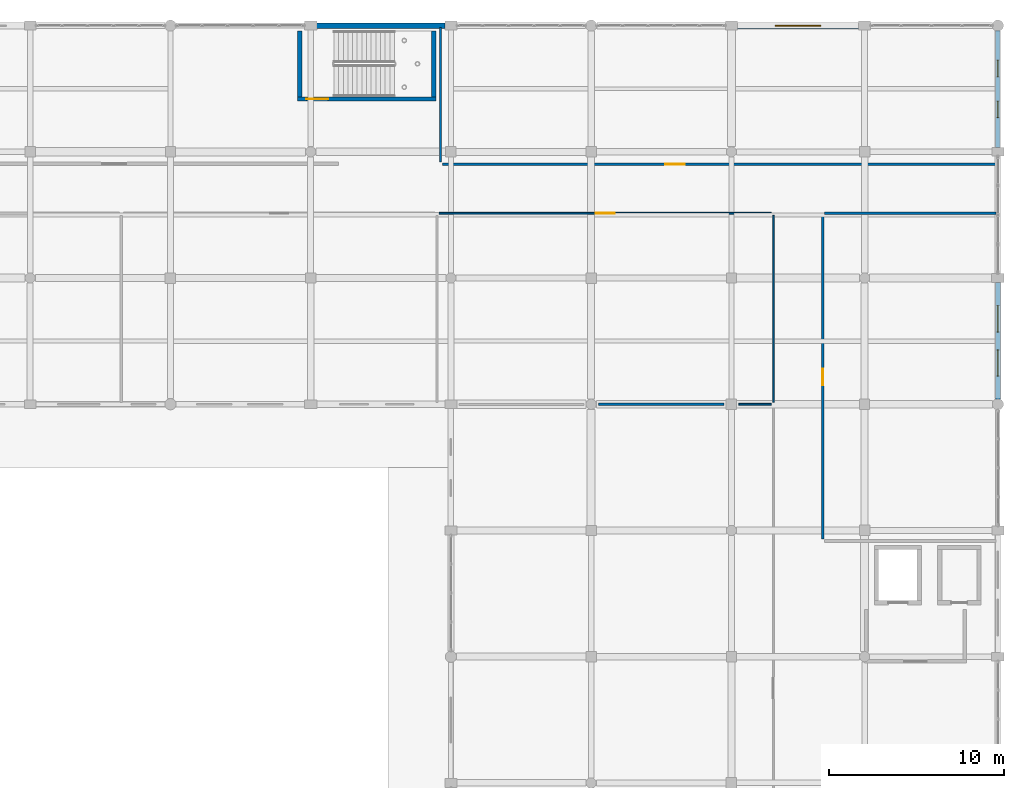
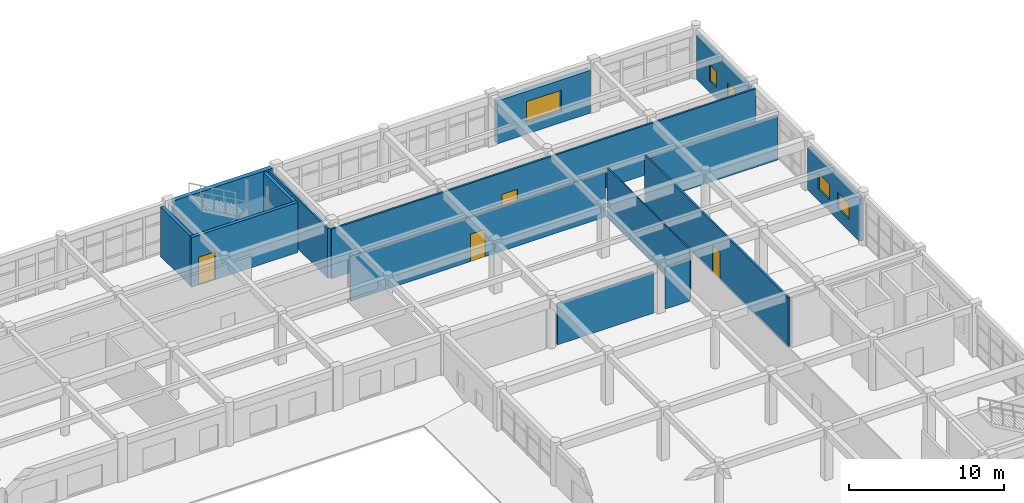
# One storey, part 112 of 121: 15 walls, 5 windows, 4 doors, 9 openings.
"""IFC4 building model written with IfcOpenShell, lengths in metres."""

from ifc_helpers import new_model, si_unit, direction, frame, frame_2d, origin, place, context, subcontext, project, spatial, rectangle, extrude, material, layer, layer_set, type_object, element, fill, save


model = new_model("IFC4")

# Units and contexts
model_context = context("Model", 3, precision=1e-05, world=origin(), true_north=direction((0.0, 1.0)))
body_context = subcontext(model_context, "Body", "Model", "MODEL_VIEW")
ifc_project = project(units=[si_unit("LENGTHUNIT", "METRE"), si_unit("AREAUNIT", "SQUARE_METRE"), si_unit("VOLUMEUNIT", "CUBIC_METRE"), si_unit("PLANEANGLEUNIT", "RADIAN"), si_unit("MASSUNIT", "GRAM", prefix="KILO")], contexts=[model_context])

# Site, building, storey
site_placement = place(None, origin())
site = spatial("IfcSite", under=ifc_project, at=site_placement, CompositionType="ELEMENT")
building_placement = place(site_placement, origin())
building = spatial("IfcBuilding", under=site, at=building_placement, Name="Kharva Crest Polytechnic", CompositionType="ELEMENT")
storey_placement = place(building_placement, frame((0.0, 0.0, 13.199951171875)))
storey = spatial("IfcBuildingStorey", under=building, at=storey_placement, Name="L03", CompositionType="ELEMENT", Elevation=13.199951171875)

# Wall, openings, windows
ifc_material_1 = material(Name="Kiln brick masonry", Category="masonry")
ifc_layer_1 = layer(ifc_material_1, 0.260009765625, Name="Kiln brick masonry")
ifc_layer_set_1 = layer_set([ifc_layer_1], Name="Kiln brick masonry")
wall_type_1 = type_object("IfcWallType", Name="WL-EXT-BRK-260", PredefinedType="SOLIDWALL", material=ifc_layer_set_1)
wall_1_placement = place(storey_placement, frame((184.0, 115.044921875, 0.0), z_axis=(0.0, 0.0, 1.0), x_axis=(0.0, 1.0, 0.0)))
wall_1 = element("IfcWall", 1, at=wall_1_placement, inside=storey, type_object=wall_type_1, Name="L03 Exterior Brick Wall 345", PredefinedType="SOLIDWALL", context=body_context, shape_type="SweptSolid", body=[
    extrude(rectangle(XDim=6.686279296875, YDim=0.260009765625, at=frame_2d((3.34326171875, 0.0))), origin(), (0.0, 0.0, 1.0), 3.43994140625),
])
opening_1_placement = place(wall_1_placement, frame((1.701904296875, 0.0, 0.89990234375)))
opening_1 = element("IfcOpeningElement", 2, at=opening_1_placement, cuts=wall_1, Name="Opening W22", PredefinedType="OPENING", context=body_context, shape_type="SweptSolid", body=[
    extrude(rectangle(XDim=0.949951171875, YDim=1.25, at=frame_2d((0.47509765625, 0.625))), frame((0.0, 0.139892578125, 0.0), z_axis=(0.0, -1.0, 0.0), x_axis=(1.0, 0.0, 0.0)), (0.0, 0.0, 1.0), 0.280029296875),
])
opening_2_placement = place(wall_1_placement, frame((4.033935546875, 0.0, 0.89990234375)))
opening_2 = element("IfcOpeningElement", 3, at=opening_2_placement, cuts=wall_1, Name="Opening W22", PredefinedType="OPENING", context=body_context, shape_type="SweptSolid", body=[
    extrude(rectangle(XDim=0.949951171875, YDim=1.25, at=frame_2d((0.47509765625, 0.625))), frame((0.0, 0.139892578125, 0.0), z_axis=(0.0, -1.0, 0.0), x_axis=(1.0, 0.0, 0.0)), (0.0, 0.0, 1.0), 0.280029296875),
])
ifc_material_2 = material(Name="Anodised aluminium", Category="aluminium")
window_type_1 = type_object("IfcWindowType", Name="WIN-ALU-950X1250", PartitioningType="SINGLE_PANEL", PredefinedType="WINDOW", material=ifc_material_2)
window_1_placement = place(opening_1_placement, origin())
window_1 = element("IfcWindow", 4, at=window_1_placement, inside=storey, type_object=window_type_1, Name="L03 Exterior Window 474", OverallHeight=1.25, OverallWidth=0.949951171875, PartitioningType="SINGLE_PANEL", PredefinedType="WINDOW", context=body_context, shape_type="SweptSolid", body=[
    extrude(rectangle(XDim=0.949951171875, YDim=1.25, at=frame_2d((0.47509765625, 0.625))), frame((0.0, 0.030029296875, 0.0), z_axis=(0.0, -1.0, 0.0), x_axis=(1.0, 0.0, 0.0)), (0.0, 0.0, 1.0), 0.06005859375),
])
fill(opening_1, window_1)
window_2_placement = place(opening_2_placement, origin())
window_2 = element("IfcWindow", 5, at=window_2_placement, inside=storey, type_object=window_type_1, Name="L03 Exterior Window 475", OverallHeight=1.25, OverallWidth=0.949951171875, PartitioningType="SINGLE_PANEL", PredefinedType="WINDOW", context=body_context, shape_type="SweptSolid", body=[
    extrude(rectangle(XDim=0.949951171875, YDim=1.25, at=frame_2d((0.47509765625, 0.625))), frame((0.0, 0.030029296875, 0.0), z_axis=(0.0, -1.0, 0.0), x_axis=(1.0, 0.0, 0.0)), (0.0, 0.0, 1.0), 0.06005859375),
])
fill(opening_2, window_2)

ifc_layer_2 = layer(ifc_material_1, 0.2900390625, Name="Kiln brick masonry")
ifc_layer_set_2 = layer_set([ifc_layer_2], Name="Kiln brick masonry")
wall_type_2 = type_object("IfcWallType", Name="WL-EXT-BRK-290", PredefinedType="SOLIDWALL", material=ifc_layer_set_2)
wall_2_placement = place(storey_placement, frame((184.0, 100.668701171875, 0.0), z_axis=(0.0, 0.0, 1.0), x_axis=(0.0, 1.0, 0.0)))
wall_2 = element("IfcWall", 6, at=wall_2_placement, inside=storey, type_object=wall_type_2, Name="L03 Exterior Brick Wall 344", PredefinedType="SOLIDWALL", context=body_context, shape_type="SweptSolid", body=[
    extrude(rectangle(XDim=6.686279296875, YDim=0.2900390625, at=frame_2d((3.34326171875, 0.0))), origin(), (0.0, 0.0, 1.0), 3.340087890625),
])
opening_3_placement = place(wall_2_placement, frame((1.3349609375, 0.0, 0.89990234375)))
opening_3 = element("IfcOpeningElement", 7, at=opening_3_placement, cuts=wall_2, Name="Opening W20", PredefinedType="OPENING", context=body_context, shape_type="SweptSolid", body=[
    extrude(rectangle(XDim=1.5, YDim=1.25, at=frame_2d((0.75, 0.625))), frame((0.0, 0.155029296875, 0.0), z_axis=(0.0, -1.0, 0.0), x_axis=(1.0, 0.0, 0.0)), (0.0, 0.0, 1.0), 0.31005859375),
])
opening_4_placement = place(wall_2_placement, frame((3.85107421875, 0.0, 0.89990234375)))
opening_4 = element("IfcOpeningElement", 8, at=opening_4_placement, cuts=wall_2, Name="Opening W20", PredefinedType="OPENING", context=body_context, shape_type="SweptSolid", body=[
    extrude(rectangle(XDim=1.5, YDim=1.25, at=frame_2d((0.75, 0.625))), frame((0.0, 0.155029296875, 0.0), z_axis=(0.0, -1.0, 0.0), x_axis=(1.0, 0.0, 0.0)), (0.0, 0.0, 1.0), 0.31005859375),
])
window_type_2 = type_object("IfcWindowType", Name="WIN-ALU-1500X1250", PartitioningType="SINGLE_PANEL", PredefinedType="WINDOW", material=ifc_material_2)
window_3_placement = place(opening_3_placement, origin())
window_3 = element("IfcWindow", 9, at=window_3_placement, inside=storey, type_object=window_type_2, Name="L03 Exterior Window 472", OverallHeight=1.25, OverallWidth=1.5, PartitioningType="SINGLE_PANEL", PredefinedType="WINDOW", context=body_context, shape_type="SweptSolid", body=[
    extrude(rectangle(XDim=1.5, YDim=1.25, at=frame_2d((0.75, 0.625))), frame((0.0, 0.030029296875, 0.0), z_axis=(0.0, -1.0, 0.0), x_axis=(1.0, 0.0, 0.0)), (0.0, 0.0, 1.0), 0.06005859375),
])
fill(opening_3, window_3)
window_4_placement = place(opening_4_placement, origin())
window_4 = element("IfcWindow", 10, at=window_4_placement, inside=storey, type_object=window_type_2, Name="L03 Exterior Window 473", OverallHeight=1.25, OverallWidth=1.5, PartitioningType="SINGLE_PANEL", PredefinedType="WINDOW", context=body_context, shape_type="SweptSolid", body=[
    extrude(rectangle(XDim=1.5, YDim=1.25, at=frame_2d((0.75, 0.625))), frame((0.0, 0.030029296875, 0.0), z_axis=(0.0, -1.0, 0.0), x_axis=(1.0, 0.0, 0.0)), (0.0, 0.0, 1.0), 0.06005859375),
])
fill(opening_4, window_4)

# Wall
ifc_layer_3 = layer(ifc_material_1, 0.320068359375, Name="Kiln brick masonry")
ifc_layer_set_3 = layer_set([ifc_layer_3], Name="Kiln brick masonry")
wall_type_3 = type_object("IfcWallType", Name="WL-EXT-BRK-320", PredefinedType="SOLIDWALL", material=ifc_layer_set_3)
wall_3_placement = place(storey_placement, frame((152.465087890625, 122.0, 0.0), z_axis=(0.0, 0.0, 1.0), x_axis=(-1.0, 0.0, 0.0)))
element("IfcWall", 11, at=wall_3_placement, inside=storey, type_object=wall_type_3, Name="L03 Exterior Brick Wall 347", PredefinedType="SOLIDWALL", context=body_context, shape_type="SweptSolid", body=[
    extrude(rectangle(XDim=7.320068359375, YDim=0.320068359375, at=frame_2d((3.66015625, 0.0))), origin(), (0.0, 0.0, 1.0), 3.920166015625),
])

# Wall, opening, window
ifc_layer_4 = layer(ifc_material_1, 0.364990234375, Name="Kiln brick masonry")
ifc_layer_set_4 = layer_set([ifc_layer_4], Name="Kiln brick masonry")
wall_type_4 = type_object("IfcWallType", Name="WL-EXT-BRK-365", PredefinedType="SOLIDWALL", material=ifc_layer_set_4)
wall_4_placement = place(storey_placement, frame((176.06494140625, 122.0, 0.0), z_axis=(0.0, 0.0, 1.0), x_axis=(-1.0, 0.0, 0.0)))
wall_4 = element("IfcWall", 12, at=wall_4_placement, inside=storey, type_object=wall_type_4, Name="L03 Exterior Brick Wall 346", PredefinedType="SOLIDWALL", context=body_context, shape_type="SweptSolid", body=[
    extrude(rectangle(XDim=6.919921875, YDim=0.364990234375, at=frame_2d((3.4599609375, 0.0))), origin(), (0.0, 0.0, 1.0), 3.360107421875),
])
opening_5_placement = place(wall_4_placement, frame((2.159912109375, 0.0, 0.89990234375)))
opening_5 = element("IfcOpeningElement", 13, at=opening_5_placement, cuts=wall_4, Name="Opening W24", PredefinedType="OPENING", context=body_context, shape_type="SweptSolid", body=[
    extrude(rectangle(XDim=2.60009765625, YDim=1.64990234375, at=frame_2d((1.300048828125, 0.824951171875))), frame((0.0, 0.1923828125, 0.0), z_axis=(0.0, -1.0, 0.0), x_axis=(1.0, 0.0, 0.0)), (0.0, 0.0, 1.0), 0.385009765625),
])
window_type_3 = type_object("IfcWindowType", Name="WIN-ALU-2600X1650", PartitioningType="SINGLE_PANEL", PredefinedType="WINDOW", material=ifc_material_2)
window_5_placement = place(opening_5_placement, origin())
window_5 = element("IfcWindow", 14, at=window_5_placement, inside=storey, type_object=window_type_3, Name="L03 Exterior Window 476", OverallHeight=1.64990234375, OverallWidth=2.60009765625, PartitioningType="SINGLE_PANEL", PredefinedType="WINDOW", context=body_context, shape_type="SweptSolid", body=[
    extrude(rectangle(XDim=2.60009765625, YDim=1.64990234375, at=frame_2d((1.300048828125, 0.824951171875))), frame((0.0, 0.030029296875, 0.0), z_axis=(0.0, -1.0, 0.0), x_axis=(1.0, 0.0, 0.0)), (0.0, 0.0, 1.0), 0.06005859375),
])
fill(opening_5, window_5)

# Wall
ifc_layer_5 = layer(ifc_material_1, 0.090087890625, Name="Kiln brick masonry")
ifc_layer_set_5 = layer_set([ifc_layer_5], Name="Kiln brick masonry")
wall_type_5 = type_object("IfcWallType", Name="WL-PART-090", PredefinedType="PARTITIONING", material=ifc_layer_set_5)
wall_5_placement = place(storey_placement, frame((171.18994140625, 100.510009765625, 0.0), z_axis=(0.0, 0.0, 1.0), x_axis=(0.0, 1.0, 0.0)))
element("IfcWall", 15, at=wall_5_placement, inside=storey, type_object=wall_type_5, Name="L03 Interior Partition 319", PredefinedType="PARTITIONING", context=body_context, shape_type="SweptSolid", body=[
    extrude(rectangle(XDim=10.669921875, YDim=0.090087890625, at=frame_2d((5.3349609375, 0.0))), origin(), (0.0, 0.0, 1.0), 3.900146484375),
])

# Wall, opening, door
ifc_layer_6 = layer(ifc_material_1, 0.10009765625, Name="Kiln brick masonry")
ifc_layer_set_6 = layer_set([ifc_layer_6], Name="Kiln brick masonry")
wall_type_6 = type_object("IfcWallType", Name="WL-PART-100", PredefinedType="PARTITIONING", material=ifc_layer_set_6)
wall_6_placement = place(storey_placement, frame((152.1201171875, 111.2900390625, 0.0), z_axis=(0.0, 0.0, 1.0), x_axis=(1.0, 0.0, 0.0)))
wall_6 = element("IfcWall", 16, at=wall_6_placement, inside=storey, type_object=wall_type_6, Name="L03 Interior Partition 318", PredefinedType="PARTITIONING", context=body_context, shape_type="SweptSolid", body=[
    extrude(rectangle(XDim=18.9599609375, YDim=0.10009765625, at=frame_2d((9.47998046875, 0.0))), origin(), (0.0, 0.0, 1.0), 3.5),
])
opening_6_placement = place(wall_6_placement, frame((8.93994140625, 0.0, 0.0)))
opening_6 = element("IfcOpeningElement", 17, at=opening_6_placement, cuts=wall_6, Name="Opening ID10", PredefinedType="OPENING", context=body_context, shape_type="SweptSolid", body=[
    extrude(rectangle(XDim=1.080078125, YDim=2.14990234375, at=frame_2d((0.5400390625, 1.074951171875))), frame((0.0, 0.06005859375, 0.0), z_axis=(0.0, -1.0, 0.0), x_axis=(1.0, 0.0, 0.0)), (0.0, 0.0, 1.0), 0.1201171875),
])
ifc_material_3 = material(Name="Teak timber", Category="wood")
door_type_1 = type_object("IfcDoorType", Name="DR-CLS-1080X2150", OperationType="NOTDEFINED", PredefinedType="DOOR", material=ifc_material_3)
door_1_placement = place(opening_6_placement, origin())
door_1 = element("IfcDoor", 18, at=door_1_placement, inside=storey, type_object=door_type_1, Name="L03 Group Study Seminar Room L03-B Door", OperationType="SINGLE_SWING_RIGHT", OverallHeight=2.14990234375, OverallWidth=1.080078125, PredefinedType="DOOR", context=body_context, shape_type="SweptSolid", body=[
    extrude(rectangle(XDim=1.080078125, YDim=2.14990234375, at=frame_2d((0.5400390625, 1.074951171875))), frame((0.0, 0.02490234375, 0.0), z_axis=(0.0, -1.0, 0.0), x_axis=(1.0, 0.0, 0.0)), (0.0, 0.0, 1.0), 0.050048828125),
])
fill(opening_6, door_1)

# Walls
ifc_layer_7 = layer(ifc_material_1, 0.110107421875, Name="Kiln brick masonry")
ifc_layer_set_7 = layer_set([ifc_layer_7], Name="Kiln brick masonry")
wall_type_7 = type_object("IfcWallType", Name="WL-PART-110", PredefinedType="PARTITIONING", material=ifc_layer_set_7)
wall_7_placement = place(storey_placement, frame((169.22998046875, 100.39990234375, 0.0), z_axis=(0.0, 0.0, 1.0), x_axis=(1.0, 0.0, 0.0)))
element("IfcWall", 19, at=wall_7_placement, inside=storey, type_object=wall_type_7, Name="L03 Interior Partition 317", PredefinedType="PARTITIONING", context=body_context, shape_type="SweptSolid", body=[
    extrude(rectangle(XDim=1.85009765625, YDim=0.110107421875, at=frame_2d((0.925048828125, 0.0))), origin(), (0.0, 0.0, 1.0), 3.300048828125),
])
ifc_layer_8 = layer(ifc_material_1, 0.1201171875, Name="Kiln brick masonry")
ifc_layer_set_8 = layer_set([ifc_layer_8], Name="Kiln brick masonry")
wall_type_8 = type_object("IfcWallType", Name="WL-PART-120", PredefinedType="PARTITIONING", material=ifc_layer_set_8)
wall_8_placement = place(storey_placement, frame((161.219970703125, 100.39990234375, 0.0), z_axis=(0.0, 0.0, 1.0), x_axis=(1.0, 0.0, 0.0)))
element("IfcWall", 20, at=wall_8_placement, inside=storey, type_object=wall_type_8, Name="L03 Interior Partition 316", PredefinedType="PARTITIONING", context=body_context, shape_type="SweptSolid", body=[
    extrude(rectangle(XDim=7.150146484375, YDim=0.1201171875, at=frame_2d((3.5751953125, 0.0))), origin(), (0.0, 0.0, 1.0), 3.239990234375),
])
ifc_layer_9 = layer(ifc_material_1, 0.1298828125, Name="Kiln brick masonry")
ifc_layer_set_9 = layer_set([ifc_layer_9], Name="Kiln brick masonry")
wall_type_9 = type_object("IfcWallType", Name="WL-PART-130", PredefinedType="PARTITIONING", material=ifc_layer_set_9)
wall_9_placement = place(storey_placement, frame((152.199951171875, 114.2099609375, 0.0), z_axis=(0.0, 0.0, 1.0), x_axis=(0.0, 1.0, 0.0)))
element("IfcWall", 21, at=wall_9_placement, inside=storey, type_object=wall_type_9, Name="L03 Interior Partition 325", PredefinedType="PARTITIONING", context=body_context, shape_type="SweptSolid", body=[
    extrude(rectangle(XDim=7.679931640625, YDim=0.1298828125, at=frame_2d((3.83984375, 0.0))), origin(), (0.0, 0.0, 1.0), 3.900146484375),
])

# Wall, opening, door
wall_10_placement = place(storey_placement, frame((174.010009765625, 92.7099609375, 0.0), z_axis=(0.0, 0.0, 1.0), x_axis=(0.0, 1.0, 0.0)))
wall_10 = element("IfcWall", 22, at=wall_10_placement, inside=storey, type_object=wall_type_9, Name="L03 Interior Partition 335", PredefinedType="PARTITIONING", context=body_context, shape_type="SweptSolid", body=[
    extrude(rectangle(XDim=18.47998046875, YDim=0.1298828125, at=frame_2d((9.239990234375, 0.0))), origin(), (0.0, 0.0, 1.0), 3.900146484375),
])
opening_7_placement = place(wall_10_placement, frame((8.764892578125, 0.0, 0.0)))
opening_7 = element("IfcOpeningElement", 23, at=opening_7_placement, cuts=wall_10, Name="Opening ID14", PredefinedType="OPENING", context=body_context, shape_type="SweptSolid", body=[
    extrude(rectangle(XDim=0.949951171875, YDim=2.10009765625, at=frame_2d((0.47509765625, 1.050048828125))), frame((0.0, 0.074951171875, 0.0), z_axis=(0.0, -1.0, 0.0), x_axis=(1.0, 0.0, 0.0)), (0.0, 0.0, 1.0), 0.14990234375),
])
door_type_2 = type_object("IfcDoorType", Name="DR-WC-950X2100", OperationType="NOTDEFINED", PredefinedType="DOOR", material=ifc_material_3)
door_2_placement = place(opening_7_placement, origin())
door_2 = element("IfcDoor", 24, at=door_2_placement, inside=storey, type_object=door_type_2, Name="L03 East Wing Washrooms and Accessible WC L03 Door", OperationType="SINGLE_SWING_RIGHT", OverallHeight=2.10009765625, OverallWidth=0.949951171875, PredefinedType="DOOR", context=body_context, shape_type="SweptSolid", body=[
    extrude(rectangle(XDim=0.949951171875, YDim=2.10009765625, at=frame_2d((0.47509765625, 1.050048828125))), frame((0.0, 0.02490234375, 0.0), z_axis=(0.0, -1.0, 0.0), x_axis=(1.0, 0.0, 0.0)), (0.0, 0.0, 1.0), 0.050048828125),
])
fill(opening_7, door_2)

ifc_layer_10 = layer(ifc_material_1, 0.139892578125, Name="Kiln brick masonry")
ifc_layer_set_10 = layer_set([ifc_layer_10], Name="Kiln brick masonry")
wall_type_10 = type_object("IfcWallType", Name="WL-PART-140", PredefinedType="PARTITIONING", material=ifc_layer_set_10)
wall_11_placement = place(storey_placement, frame((152.31005859375, 114.10009765625, 0.0), z_axis=(0.0, 0.0, 1.0), x_axis=(1.0, 0.0, 0.0)))
wall_11 = element("IfcWall", 25, at=wall_11_placement, inside=storey, type_object=wall_type_10, Name="L03 Interior Partition 324", PredefinedType="PARTITIONING", context=body_context, shape_type="SweptSolid", body=[
    extrude(rectangle(XDim=31.579833984375, YDim=0.139892578125, at=frame_2d((15.7900390625, 0.0))), origin(), (0.0, 0.0, 1.0), 3.900146484375),
])
opening_8_placement = place(wall_11_placement, frame((12.7041015625, 0.0, 0.0)))
opening_8 = element("IfcOpeningElement", 26, at=opening_8_placement, cuts=wall_11, Name="Opening ID9", PredefinedType="OPENING", context=body_context, shape_type="SweptSolid", body=[
    extrude(rectangle(XDim=1.1201171875, YDim=2.199951171875, at=frame_2d((0.56005859375, 1.10009765625))), frame((0.0, 0.079833984375, 0.0), z_axis=(0.0, -1.0, 0.0), x_axis=(1.0, 0.0, 0.0)), (0.0, 0.0, 1.0), 0.159912109375),
])
door_type_3 = type_object("IfcDoorType", Name="DR-STD-1120X2200", OperationType="NOTDEFINED", PredefinedType="DOOR", material=ifc_material_3)
door_3_placement = place(opening_8_placement, origin())
door_3 = element("IfcDoor", 27, at=door_3_placement, inside=storey, type_object=door_type_3, Name="L03 Foundation Design Studio L03-N Door", OperationType="SINGLE_SWING_LEFT", OverallHeight=2.199951171875, OverallWidth=1.1201171875, PredefinedType="DOOR", context=body_context, shape_type="SweptSolid", body=[
    extrude(rectangle(XDim=1.1201171875, YDim=2.199951171875, at=frame_2d((0.56005859375, 1.10009765625))), frame((0.0, 0.02490234375, 0.0), z_axis=(0.0, -1.0, 0.0), x_axis=(1.0, 0.0, 0.0)), (0.0, 0.0, 1.0), 0.050048828125),
])
fill(opening_8, door_3)

# Wall
wall_12_placement = place(storey_placement, frame((174.1201171875, 111.300048828125, 0.0), z_axis=(0.0, 0.0, 1.0), x_axis=(1.0, 0.0, 0.0)))
element("IfcWall", 28, at=wall_12_placement, inside=storey, type_object=wall_type_10, Name="L03 Interior Partition 334", PredefinedType="PARTITIONING", context=body_context, shape_type="SweptSolid", body=[
    extrude(rectangle(XDim=9.769775390625, YDim=0.139892578125, at=frame_2d((4.884765625, 0.0))), origin(), (0.0, 0.0, 1.0), 3.5),
])

# Wall, opening, door
ifc_material_4 = material(Name="Concrete C40/50", Category="concrete")
ifc_layer_11 = layer(ifc_material_4, 0.25, Name="Concrete C40/50")
ifc_layer_set_11 = layer_set([ifc_layer_11], Name="Concrete C40/50")
wall_type_11 = type_object("IfcWallType", Name="WL-SHEAR-SW1-250", PredefinedType="SHEAR", material=ifc_layer_set_11)
wall_13_placement = place(storey_placement, frame((144.050048828125, 117.81494140625, 0.0), z_axis=(0.0, 0.0, 1.0), x_axis=(1.0, 0.0, 0.0)))
wall_13 = element("IfcWall", 29, at=wall_13_placement, inside=storey, type_object=wall_type_11, Name="L03 North-East Library Wing Stair C9 South Shear Wall", PredefinedType="SHEAR", context=body_context, shape_type="SweptSolid", body=[
    extrude(rectangle(XDim=7.89990234375, YDim=0.25, at=frame_2d((3.949951171875, 0.0))), origin(), (0.0, 0.0, 1.0), 3.920166015625),
])
opening_9_placement = place(wall_13_placement, frame((0.5, 0.0, 0.0)))
opening_9 = element("IfcOpeningElement", 30, at=opening_9_placement, cuts=wall_13, Name="Opening FD1B", PredefinedType="OPENING", context=body_context, shape_type="SweptSolid", body=[
    extrude(rectangle(XDim=1.25, YDim=2.199951171875, at=frame_2d((0.625, 1.10009765625))), frame((0.0, 0.135009765625, 0.0), z_axis=(0.0, -1.0, 0.0), x_axis=(1.0, 0.0, 0.0)), (0.0, 0.0, 1.0), 0.27001953125),
])
door_type_4 = type_object("IfcDoorType", Name="DR-STAIR-1250X2200", OperationType="NOTDEFINED", PredefinedType="DOOR", material=ifc_material_3)
door_4_placement = place(opening_9_placement, origin())
door_4 = element("IfcDoor", 31, at=door_4_placement, inside=storey, type_object=door_type_4, Name="L03 ST-09 Stair Door", OperationType="SINGLE_SWING_LEFT", OverallHeight=2.199951171875, OverallWidth=1.25, PredefinedType="DOOR", context=body_context, shape_type="SweptSolid", body=[
    extrude(rectangle(XDim=1.25, YDim=2.199951171875, at=frame_2d((0.625, 1.10009765625))), frame((0.0, 0.02490234375, 0.0), z_axis=(0.0, -1.0, 0.0), x_axis=(1.0, 0.0, 0.0)), (0.0, 0.0, 1.0), 0.050048828125),
])
fill(opening_9, door_4)

# Walls
for number, where, z_axis, x_axis, name in (
    (32, (144.175048828125, 117.93994140625, 0.0), (0.0, 0.0, 1.0), (0.0, 1.0, 0.0), "L03 North-East Library Wing Stair C9 West Shear Wall"),
    (33, (151.824951171875, 117.93994140625, 0.0), (0.0, 0.0, 1.0), (0.0, 1.0, 0.0), "L03 North-East Library Wing Stair C9 East Shear Wall"),
):
    element("IfcWall", number, at=place(storey_placement, frame(where, z_axis=z_axis, x_axis=x_axis)), inside=storey, type_object=wall_type_11, Name=name, PredefinedType="SHEAR", context=body_context, shape_type="SweptSolid", body=[
        extrude(rectangle(XDim=3.760009765625, YDim=0.25, at=frame_2d((1.8798828125, 0.0))), origin(), (0.0, 0.0, 1.0), 3.920166015625),
    ])

save(model, "model.ifc")
